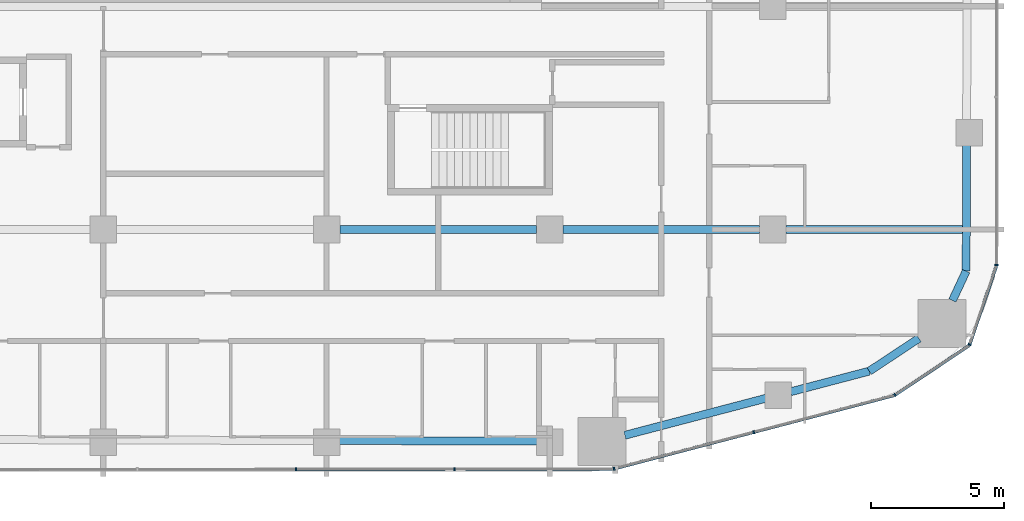
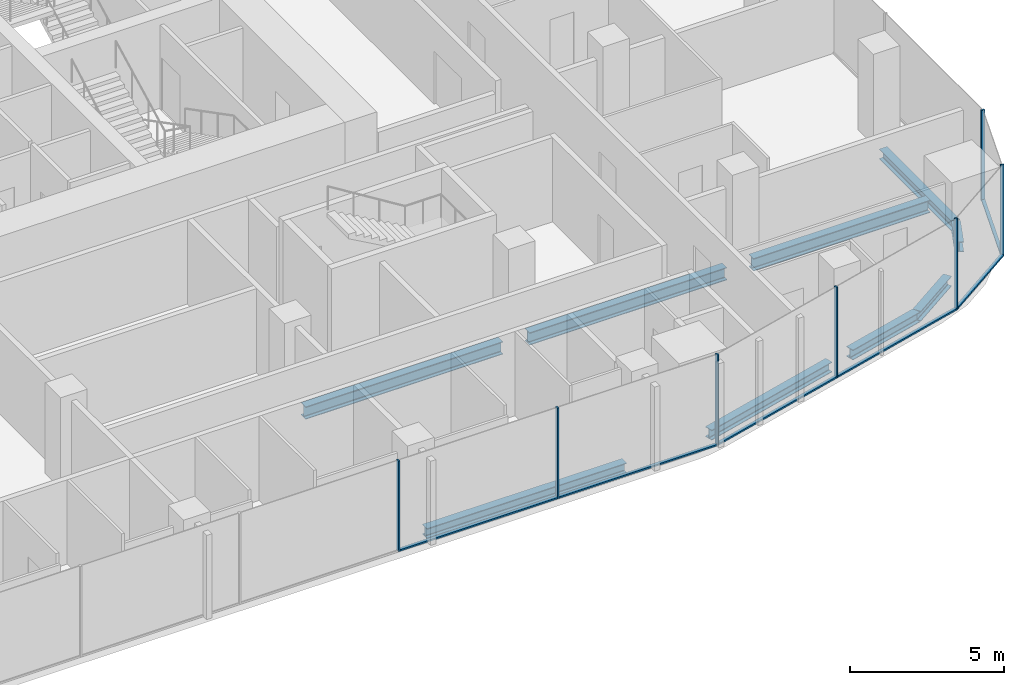
# One storey, part 6 of 25: 13 members, 9 beams, 5 elements without a shape of their own.
"""IFC4 building model written with IfcOpenShell, lengths in metres."""

from ifc_helpers import new_model, si_unit, direction, frame, origin, origin_2d, place, context, subcontext, project, spatial, rectangle, i_section, extrude, material, layer, layer_set, material_profile, profile_set, type_object, element, aggregate, save


model = new_model("IFC4")

# Units and contexts
model_context = context("Model", 3, precision=1e-05, world=origin(), true_north=direction((0.0, 1.0)))
body_context = subcontext(model_context, "Body", "Model", "MODEL_VIEW")
ifc_project = project(units=[si_unit("LENGTHUNIT", "METRE"), si_unit("AREAUNIT", "SQUARE_METRE"), si_unit("VOLUMEUNIT", "CUBIC_METRE"), si_unit("PLANEANGLEUNIT", "RADIAN"), si_unit("MASSUNIT", "GRAM", prefix="KILO")], contexts=[model_context])

# Site, building, storey
site_placement = place(None, origin())
site = spatial("IfcSite", under=ifc_project, at=site_placement, CompositionType="ELEMENT")
building_placement = place(site_placement, origin())
building = spatial("IfcBuilding", under=site, at=building_placement, Name="Marenta Gate Hotel Tower", CompositionType="ELEMENT")
storey_placement = place(building_placement, frame((0.0, 0.0, 50.89990234375)))
storey = spatial("IfcBuildingStorey", under=building, at=storey_placement, Name="L10", CompositionType="ELEMENT", Elevation=50.89990234375)

# Beams
ifc_material_1 = material(Name="Steel S355", Category="steel")
ifc_material_profile_1 = material_profile(ifc_material_1, i_section(OverallWidth=0.300048828125, OverallDepth=0.39990234375, WebThickness=0.013427734375, FlangeThickness=0.02392578125, FilletRadius=0.027099609375, at=origin_2d()), Name="HEB 400")
ifc_profile_set_1 = profile_set([ifc_material_profile_1], Name="Steel S355")
beam_type_1 = type_object("IfcBeamType", Name="Edge beam HEB 400", PredefinedType="SPANDREL", material=ifc_profile_set_1)
beam_1_placement = place(storey_placement, frame((28.291015625, -5.2119140625, -0.4599609375), z_axis=(-0.003337079684, -0.999994431934, 0.0), x_axis=(0.999994431934, -0.003337079684, 0.0)))
element("IfcBeam", 1, at=beam_1_placement, inside=storey, type_object=beam_type_1, Name="L10-EB-27", PredefinedType="SPANDREL", context=body_context, shape_type="SweptSolid", body=[
    extrude(i_section(OverallWidth=0.300048828125, OverallDepth=0.39990234375, WebThickness=0.013427734375, FlangeThickness=0.02392578125, FilletRadius=0.027099609375, at=origin_2d()), origin(), (0.0, 0.0, 1.0), 4.75537109375),
])
beam_2_placement = place(storey_placement, frame((28.275146484375, -9.96728515625, -0.4599609375), z_axis=(-0.423291965192, -0.905993329006, 0.0), x_axis=(0.905993329006, -0.423291965192, 0.0)))
element("IfcBeam", 2, at=beam_2_placement, inside=storey, type_object=beam_type_1, Name="L10-EB-28", PredefinedType="SPANDREL", context=body_context, shape_type="SweptSolid", body=[
    extrude(i_section(OverallWidth=0.300048828125, OverallDepth=0.39990234375, WebThickness=0.013427734375, FlangeThickness=0.02392578125, FilletRadius=0.027099609375, at=origin_2d()), origin(), (0.0, 0.0, 1.0), 1.21630859375),
])
beam_3_placement = place(storey_placement, frame((26.496337890625, -12.498291015625, -0.4599609375), z_axis=(-0.834510054819, -0.550992711754, 0.0), x_axis=(0.550992711754, -0.834510054819, 0.0)))
element("IfcBeam", 3, at=beam_3_placement, inside=storey, type_object=beam_type_1, Name="L10-EB-29", PredefinedType="SPANDREL", context=body_context, shape_type="SweptSolid", body=[
    extrude(i_section(OverallWidth=0.300048828125, OverallDepth=0.39990234375, WebThickness=0.013427734375, FlangeThickness=0.02392578125, FilletRadius=0.027099609375, at=origin_2d()), origin(), (0.0, 0.0, 1.0), 2.237060546875),
])
beam_4_placement = place(storey_placement, frame((24.62939453125, -13.73095703125, -0.4599609375), z_axis=(-0.967228272573, -0.253908386501, 0.0), x_axis=(0.253908386501, -0.967228272573, 0.0)))
element("IfcBeam", 4, at=beam_4_placement, inside=storey, type_object=beam_type_1, Name="L10-EB-30", PredefinedType="SPANDREL", context=body_context, shape_type="SweptSolid", body=[
    extrude(i_section(OverallWidth=0.300048828125, OverallDepth=0.39990234375, WebThickness=0.013427734375, FlangeThickness=0.02392578125, FilletRadius=0.027099609375, at=origin_2d()), origin(), (0.0, 0.0, 1.0), 3.0615234375),
])
beam_5_placement = place(storey_placement, frame((20.74560546875, -14.75048828125, -0.4599609375), z_axis=(-0.967231374294, -0.253896570638, 0.0), x_axis=(0.253896570638, -0.967231374294, 0.0)))
element("IfcBeam", 5, at=beam_5_placement, inside=storey, type_object=beam_type_1, Name="L10-EB-31", PredefinedType="SPANDREL", context=body_context, shape_type="SweptSolid", body=[
    extrude(i_section(OverallWidth=0.300048828125, OverallDepth=0.39990234375, WebThickness=0.013427734375, FlangeThickness=0.02392578125, FilletRadius=0.027099609375, at=origin_2d()), origin(), (0.0, 0.0, 1.0), 5.498291015625),
])
beam_6_placement = place(storey_placement, frame((12.139892578125, -16.365966796875, -0.4599609375), z_axis=(-0.99999624158, 0.002741683018, 0.0), x_axis=(-0.002741683018, -0.99999624158, 0.0)))
element("IfcBeam", 6, at=beam_6_placement, inside=storey, type_object=beam_type_1, Name="L10-EB-32", PredefinedType="SPANDREL", context=body_context, shape_type="SweptSolid", body=[
    extrude(i_section(OverallWidth=0.300048828125, OverallDepth=0.39990234375, WebThickness=0.013427734375, FlangeThickness=0.02392578125, FilletRadius=0.027099609375, at=origin_2d()), origin(), (0.0, 0.0, 1.0), 7.47998046875),
])
ifc_material_2 = material(Name="Steel S355", Category="steel")
ifc_material_profile_2 = material_profile(ifc_material_2, i_section(OverallWidth=0.300048828125, OverallDepth=0.5, WebThickness=0.014404296875, FlangeThickness=0.028076171875, FilletRadius=0.027099609375, at=origin_2d()), Name="HEB 500")
ifc_profile_set_2 = profile_set([ifc_material_profile_2], Name="Steel S355")
beam_type_2 = type_object("IfcBeamType", Name="Girder HEB 500", PredefinedType="BEAM", material=ifc_profile_set_2)
beam_7_placement = place(storey_placement, frame((4.699951171875, -8.39990234375, -0.510009765625), z_axis=(1.0, 0.0, 0.0), x_axis=(0.0, 1.0, 0.0)))
element("IfcBeam", 7, at=beam_7_placement, inside=storey, type_object=beam_type_2, Name="L10-GD-5", PredefinedType="BEAM", context=body_context, shape_type="SweptSolid", body=[
    extrude(i_section(OverallWidth=0.300048828125, OverallDepth=0.5, WebThickness=0.014404296875, FlangeThickness=0.028076171875, FilletRadius=0.027099609375, at=origin_2d()), origin(), (0.0, 0.0, 1.0), 7.400146484375),
])
beam_8_placement = place(storey_placement, frame((13.10009765625, -8.39990234375, -0.510009765625), z_axis=(1.0, 0.0, 0.0), x_axis=(0.0, 1.0, 0.0)))
element("IfcBeam", 8, at=beam_8_placement, inside=storey, type_object=beam_type_2, Name="L10-GD-6", PredefinedType="BEAM", context=body_context, shape_type="SweptSolid", body=[
    extrude(i_section(OverallWidth=0.300048828125, OverallDepth=0.5, WebThickness=0.014404296875, FlangeThickness=0.028076171875, FilletRadius=0.027099609375, at=origin_2d()), origin(), (0.0, 0.0, 1.0), 7.39990234375),
])
beam_9_placement = place(storey_placement, frame((21.5, -8.39990234375, -0.510009765625), z_axis=(1.0, 0.0, 0.0), x_axis=(0.0, 1.0, 0.0)))
element("IfcBeam", 9, at=beam_9_placement, inside=storey, type_object=beam_type_2, Name="L10-GD-7", PredefinedType="BEAM", context=body_context, shape_type="SweptSolid", body=[
    extrude(i_section(OverallWidth=0.300048828125, OverallDepth=0.5, WebThickness=0.014404296875, FlangeThickness=0.028076171875, FilletRadius=0.027099609375, at=origin_2d()), origin(), (0.0, 0.0, 1.0), 6.63037109375),
])

# Curtain wall, members
ifc_material_3 = material(Name="Tinted insulated glass in bronze anodised frame", Category="glass")
ifc_layer = layer(ifc_material_3, 0.1201171875)
ifc_layer_set = layer_set([ifc_layer], Name="Tinted insulated glass in bronze anodised frame")
curtain_wall_type = type_object("IfcCurtainWallType", Name="Tower unitised curtain wall CW1", PredefinedType="NOTDEFINED", material=ifc_layer_set)
curtain_wall_1_placement = place(storey_placement, origin())
curtain_wall_1 = element("IfcCurtainWall", 10, at=curtain_wall_1_placement, inside=storey, type_object=curtain_wall_type, Name="CW1 run G07", PredefinedType="NOTDEFINED")
ifc_material_4 = material(Name="Bronze anodised aluminium", Category="aluminium")
ifc_material_profile_3 = material_profile(ifc_material_4, rectangle(XDim=0.1201171875, YDim=0.06005859375, at=origin_2d()), Name="Mullion CW1 60x120 bronze anodised aluminium")
ifc_profile_set_3 = profile_set([ifc_material_profile_3], Name="Bronze anodised aluminium")
member_type_1 = type_object("IfcMemberType", Name="Mullion CW1 60x120 bronze anodised aluminium", PredefinedType="MULLION", material=ifc_profile_set_3)
member_1_placement = place(storey_placement, frame((3.048095703125, -17.427001953125, 0.0), z_axis=(0.0, 0.0, 1.0), x_axis=(-0.001161921639, 0.999999324969, 0.0)))
member_1 = element("IfcMember", 11, at=member_1_placement, type_object=member_type_1, Name="CW1 mullion 4", PredefinedType="MULLION", context=body_context, shape_type="SweptSolid", body=[
    extrude(rectangle(XDim=0.1201171875, YDim=0.06005859375, at=origin_2d()), origin(), (0.0, 0.0, 1.0), 3.60009765625),
])
member_2_placement = place(storey_placement, frame((9.020751953125, -17.419921875, 0.0), z_axis=(0.0, 0.0, 1.0), x_axis=(-0.001161921639, 0.999999324969, 0.0)))
member_2 = element("IfcMember", 12, at=member_2_placement, type_object=member_type_1, Name="CW1 mullion 5", PredefinedType="MULLION", context=body_context, shape_type="SweptSolid", body=[
    extrude(rectangle(XDim=0.1201171875, YDim=0.06005859375, at=origin_2d()), origin(), (0.0, 0.0, 1.0), 3.60009765625),
])

curtain_wall_2_placement = place(storey_placement, origin())
curtain_wall_2 = element("IfcCurtainWall", 13, at=curtain_wall_2_placement, inside=storey, type_object=curtain_wall_type, Name="CW1 run G08", PredefinedType="NOTDEFINED")
member_3_placement = place(storey_placement, frame((15.022705078125, -17.405517578125, 0.0), z_axis=(0.0, 0.0, 1.0), x_axis=(-0.25337182621, 0.967368966674, 0.0)))
member_3 = element("IfcMember", 14, at=member_3_placement, type_object=member_type_1, Name="CW1 mullion 1", PredefinedType="MULLION", context=body_context, shape_type="SweptSolid", body=[
    extrude(rectangle(XDim=0.1201171875, YDim=0.06005859375, at=origin_2d()), origin(), (0.0, 0.0, 1.0), 3.60009765625),
])
member_4_placement = place(storey_placement, frame((20.28076171875, -16.0283203125, 0.0), z_axis=(0.0, 0.0, 1.0), x_axis=(-0.25337182621, 0.967368966674, 0.0)))
member_4 = element("IfcMember", 15, at=member_4_placement, type_object=member_type_1, Name="CW1 mullion 2", PredefinedType="MULLION", context=body_context, shape_type="SweptSolid", body=[
    extrude(rectangle(XDim=0.1201171875, YDim=0.06005859375, at=origin_2d()), origin(), (0.0, 0.0, 1.0), 3.60009765625),
])

# Curtain wall, member
curtain_wall_3_placement = place(storey_placement, origin())
curtain_wall_3 = element("IfcCurtainWall", 16, at=curtain_wall_3_placement, inside=storey, type_object=curtain_wall_type, Name="CW1 run G09", PredefinedType="NOTDEFINED")
member_5_placement = place(storey_placement, frame((25.592529296875, -14.626953125, 0.0), z_axis=(0.0, 0.0, 1.0), x_axis=(-0.554034324326, 0.832493824282, 0.0)))
member_5 = element("IfcMember", 17, at=member_5_placement, type_object=member_type_1, Name="CW1 mullion 1", PredefinedType="MULLION", context=body_context, shape_type="SweptSolid", body=[
    extrude(rectangle(XDim=0.1201171875, YDim=0.06005859375, at=origin_2d()), origin(), (0.0, 0.0, 1.0), 3.60009765625),
])

curtain_wall_4_placement = place(storey_placement, origin())
curtain_wall_4 = element("IfcCurtainWall", 18, at=curtain_wall_4_placement, inside=storey, type_object=curtain_wall_type, Name="CW1 run G10", PredefinedType="NOTDEFINED")
member_6_placement = place(storey_placement, frame((28.405517578125, -12.73291015625, 0.0), z_axis=(0.0, 0.0, 1.0), x_axis=(-0.946729939312, 0.322028604337, 0.0)))
member_6 = element("IfcMember", 19, at=member_6_placement, type_object=member_type_1, Name="CW1 mullion 1", PredefinedType="MULLION", context=body_context, shape_type="SweptSolid", body=[
    extrude(rectangle(XDim=0.1201171875, YDim=0.06005859375, at=origin_2d()), origin(), (0.0, 0.0, 1.0), 3.60009765625),
])

curtain_wall_5_placement = place(storey_placement, origin())
curtain_wall_5 = element("IfcCurtainWall", 20, at=curtain_wall_5_placement, inside=storey, type_object=curtain_wall_type, Name="CW1 run G11", PredefinedType="NOTDEFINED")
member_7_placement = place(storey_placement, frame((29.4140625, -9.738037109375, 0.0), z_axis=(0.0, 0.0, 1.0), x_axis=(-1.0, 0.0, 0.0)))
member_7 = element("IfcMember", 21, at=member_7_placement, type_object=member_type_1, Name="CW1 mullion 1", PredefinedType="MULLION", context=body_context, shape_type="SweptSolid", body=[
    extrude(rectangle(XDim=0.1201171875, YDim=0.06005859375, at=origin_2d()), origin(), (0.0, 0.0, 1.0), 3.60009765625),
])
aggregate(curtain_wall_5, [member_7])

# Member
ifc_material_5 = material(Name="Bronze anodised aluminium", Category="aluminium")
ifc_material_profile_4 = material_profile(ifc_material_5, rectangle(XDim=0.1201171875, YDim=0.06005859375, at=origin_2d()), Name="Transom CW1 60x120 bronze anodised aluminium")
ifc_profile_set_4 = profile_set([ifc_material_profile_4], Name="Bronze anodised aluminium")
member_type_2 = type_object("IfcMemberType", Name="Transom CW1 60x120 bronze anodised aluminium", PredefinedType="USERDEFINED", material=ifc_profile_set_4)
member_8_placement = place(storey_placement, frame((3.077880859375, -17.427001953125, 0.030029296875), z_axis=(0.999999331697, 0.001156116326, 0.0), x_axis=(-0.001156116326, 0.999999331697, 0.0)))
member_8 = element("IfcMember", 22, at=member_8_placement, type_object=member_type_2, Name="CW1 transom 4.1", ObjectType="TRANSOM", PredefinedType="USERDEFINED", context=body_context, shape_type="SweptSolid", body=[
    extrude(rectangle(XDim=0.1201171875, YDim=0.06005859375, at=origin_2d()), origin(), (0.0, 0.0, 1.0), 5.912841796875),
])

member_9_placement = place(storey_placement, frame((9.05078125, -17.419921875, 0.030029296875), z_axis=(0.999999338434, 0.001150274483, 0.0), x_axis=(-0.001150274483, 0.999999338434, 0.0)))
member_9 = element("IfcMember", 23, at=member_9_placement, type_object=member_type_2, Name="CW1 transom 5.1", ObjectType="TRANSOM", PredefinedType="USERDEFINED", context=body_context, shape_type="SweptSolid", body=[
    extrude(rectangle(XDim=0.1201171875, YDim=0.06005859375, at=origin_2d()), origin(), (0.0, 0.0, 1.0), 5.94287109375),
])

aggregate(curtain_wall_1, [member_1, member_2, member_8, member_9])

member_10_placement = place(storey_placement, frame((15.0517578125, -17.39794921875, 0.030029296875), z_axis=(0.96736453676, 0.253388738935, 0.0), x_axis=(-0.253388738935, 0.96736453676, 0.0)))
member_10 = element("IfcMember", 24, at=member_10_placement, type_object=member_type_2, Name="CW1 transom 1.1", ObjectType="TRANSOM", PredefinedType="USERDEFINED", context=body_context, shape_type="SweptSolid", body=[
    extrude(rectangle(XDim=0.1201171875, YDim=0.06005859375, at=origin_2d()), origin(), (0.0, 0.0, 1.0), 5.37548828125),
])

member_11_placement = place(storey_placement, frame((20.3095703125, -16.020751953125, 0.030029296875), z_axis=(0.967368291574, 0.253374403713, 0.0), x_axis=(-0.253374403713, 0.967368291574, 0.0)))
member_11 = element("IfcMember", 25, at=member_11_placement, type_object=member_type_2, Name="CW1 transom 2.1", ObjectType="TRANSOM", PredefinedType="USERDEFINED", context=body_context, shape_type="SweptSolid", body=[
    extrude(rectangle(XDim=0.1201171875, YDim=0.06005859375, at=origin_2d()), origin(), (0.0, 0.0, 1.0), 5.435302734375),
])

aggregate(curtain_wall_2, [member_3, member_4, member_10, member_11])

member_12_placement = place(storey_placement, frame((25.617431640625, -14.6103515625, 0.030029296875), z_axis=(0.832511449854, 0.554007839169, 0.0), x_axis=(-0.554007839169, 0.832511449854, 0.0)))
member_12 = element("IfcMember", 26, at=member_12_placement, type_object=member_type_2, Name="CW1 transom 1.1", ObjectType="TRANSOM", PredefinedType="USERDEFINED", context=body_context, shape_type="SweptSolid", body=[
    extrude(rectangle(XDim=0.1201171875, YDim=0.06005859375, at=origin_2d()), origin(), (0.0, 0.0, 1.0), 3.337158203125),
])

aggregate(curtain_wall_3, [member_5, member_12])

member_13_placement = place(storey_placement, frame((28.4150390625, -12.70458984375, 0.030029296875), z_axis=(0.3220776996, 0.94671323822, 0.0), x_axis=(-0.94671323822, 0.3220776996, 0.0)))
member_13 = element("IfcMember", 27, at=member_13_placement, type_object=member_type_2, Name="CW1 transom 1.1", ObjectType="TRANSOM", PredefinedType="USERDEFINED", context=body_context, shape_type="SweptSolid", body=[
    extrude(rectangle(XDim=0.1201171875, YDim=0.06005859375, at=origin_2d()), origin(), (0.0, 0.0, 1.0), 3.101806640625),
])

aggregate(curtain_wall_4, [member_6, member_13])

save(model, "model.ifc")
